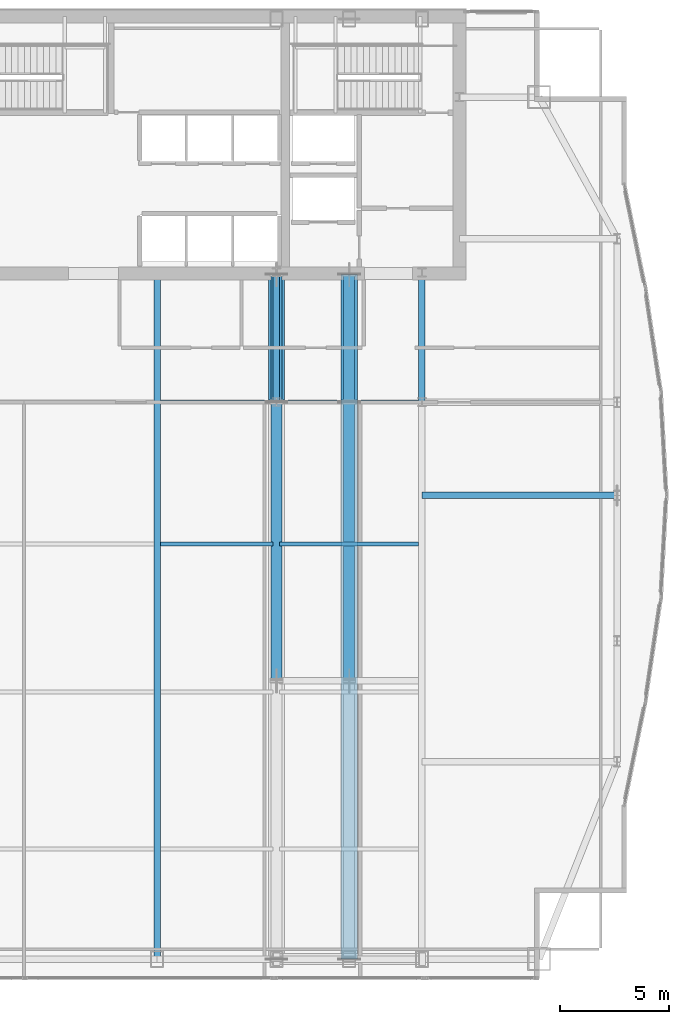
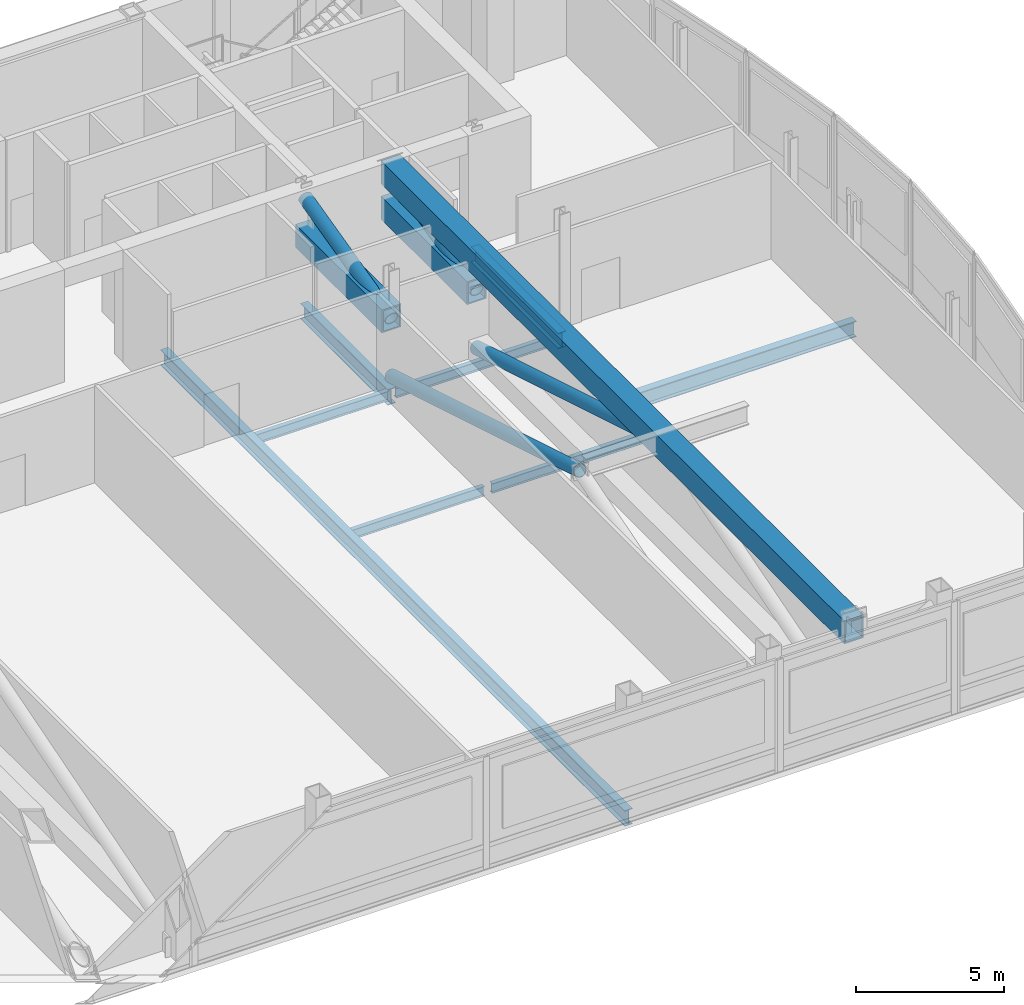
# One storey, part 19 of 32: 8 beams, 7 members.
"""IFC4 building model written with IfcOpenShell, lengths in metres."""

import ifcopenshell
import ifcopenshell.guid

model = None  # the IFC model being written
_history = None  # IfcOwnerHistory: only IFC2X3 demands one
_inside = {}  # id of a spatial element -> (the spatial element, [elements in it])
_under = {}  # id of a project, library or spatial element -> (it, [spatial elements below it])
_declared = {}  # id of a project -> (the project, [libraries it declares])
_typed = {}  # id of a type object -> (the type object, [elements of that type])
_made_of = {}  # id of a material, layer set ... -> (it, [elements and type objects made of it])


def new_model(schema):
    """Start an empty IFC model of exactly this schema.

    Asked for "IFC4X3", IfcOpenShell would pick the latest addendum, in which some entities
    have other attributes; the version numbers below select the first issue.
    IFC2X3 requires an IfcOwnerHistory on every rooted entity: one is made here for all.
    """
    global model, _history
    if schema == "IFC4X3":
        model = ifcopenshell.file(schema_version=(4, 3, 0, 0))
    else:
        model = ifcopenshell.file(schema=schema)
    _inside.clear()
    _under.clear()
    _declared.clear()
    _typed.clear()
    _made_of.clear()
    _history = None
    if model.schema == "IFC2X3":
        org = make("IfcOrganization", Name="unknown")
        user = make(
            "IfcPersonAndOrganization",
            ThePerson=make("IfcPerson", FamilyName="unknown"),
            TheOrganization=org,
        )
        app = make(
            "IfcApplication",
            ApplicationDeveloper=org,
            Version="unknown",
            ApplicationFullName="unknown",
            ApplicationIdentifier="unknown",
        )
        _history = make(
            "IfcOwnerHistory",
            OwningUser=user,
            OwningApplication=app,
            ChangeAction="ADDED",
            CreationDate=0,
        )
    return model


def make(cls, **values):
    """One entity of the class cls with the attributes given. An attribute that is None is left unset."""
    return model.create_entity(
        cls, **{name: value for name, value in values.items() if value is not None}
    )


def rooted(cls, **values):
    """An entity with a GlobalId (a new one), such as an element, a storey or a relation."""
    return make(cls, GlobalId=ifcopenshell.guid.new(), OwnerHistory=_history, **values)


def si_unit(unit_type, name, prefix=None):
    """IfcSIUnit, for example si_unit("LENGTHUNIT", "METRE", prefix="MILLI")."""
    return make("IfcSIUnit", UnitType=unit_type, Prefix=prefix, Name=name)


def assignment(units):
    """IfcUnitAssignment: the units of a project."""
    return None if units is None else make("IfcUnitAssignment", Units=units)


def point(xyz):
    """IfcCartesianPoint."""
    return None if xyz is None else make("IfcCartesianPoint", Coordinates=xyz)


def direction(xyz):
    """IfcDirection."""
    return None if xyz is None else make("IfcDirection", DirectionRatios=xyz)


def frame(location, z_axis=None, x_axis=None):
    """IfcAxis2Placement3D, a coordinate frame: its origin and axes. An axis left out is left unset."""
    return make(
        "IfcAxis2Placement3D",
        Location=point(location),
        Axis=direction(z_axis),
        RefDirection=direction(x_axis),
    )


def frame_2d(location, x_axis=None):
    """IfcAxis2Placement2D, a coordinate frame in the plane: its origin and x axis."""
    return make(
        "IfcAxis2Placement2D", Location=point(location), RefDirection=direction(x_axis)
    )


def origin():
    """The frame at (0, 0, 0) with its axes left unset."""
    return frame((0.0, 0.0, 0.0))


def origin_2d():
    """The frame at (0, 0) in the plane with its x axis left unset."""
    return frame_2d((0.0, 0.0))


def place(relative_to, where):
    """IfcLocalPlacement: puts the frame where relative to a parent placement (None: the world)."""
    return make(
        "IfcLocalPlacement", PlacementRelTo=relative_to, RelativePlacement=where
    )


def context(
    kind, dimensions, precision=None, world=None, true_north=None, identifier=None
):
    """IfcGeometricRepresentationContext, for example the 3D "Model" context."""
    return make(
        "IfcGeometricRepresentationContext",
        ContextIdentifier=identifier,
        ContextType=kind,
        CoordinateSpaceDimension=dimensions,
        Precision=precision,
        WorldCoordinateSystem=world,
        TrueNorth=true_north,
    )


def subcontext(parent, identifier, kind, view, scale=None):
    """IfcGeometricRepresentationSubContext, for example "Body" below "Model"."""
    return make(
        "IfcGeometricRepresentationSubContext",
        ContextIdentifier=identifier,
        ContextType=kind,
        ParentContext=parent,
        TargetScale=scale,
        TargetView=view,
    )


def project(units=None, contexts=None):
    """IfcProject with its units and contexts."""
    return rooted(
        "IfcProject",
        Name="project",
        RepresentationContexts=contexts,
        UnitsInContext=assignment(units),
    )


def spatial(cls, under=None, at=None, **own):
    """A site, building, storey or space (cls), placed at a placement, below another one or the project."""
    s = rooted(cls, ObjectPlacement=at, **own)
    if under is not None:
        _under.setdefault(under.id(), (under, []))[1].append(s)
    return s


def profile(cls, at=None, kind="AREA", **sizes):
    """A parametric profile (cls). Its sizes go by their IFC names, for example OverallWidth=200.0."""
    return make(cls, ProfileType=kind, Position=at, **sizes)


def hollow_rectangle(**sizes):
    """IfcRectangleHollowProfileDef."""
    return profile("IfcRectangleHollowProfileDef", **sizes)


def hollow_circle(**sizes):
    """IfcCircleHollowProfileDef."""
    return profile("IfcCircleHollowProfileDef", **sizes)


def i_section(**sizes):
    """IfcIShapeProfileDef."""
    return profile("IfcIShapeProfileDef", **sizes)


def extrude(swept, where, along, depth):
    """IfcExtrudedAreaSolid: the profile swept, set in the frame where, extruded along a direction by depth."""
    return make(
        "IfcExtrudedAreaSolid",
        SweptArea=swept,
        Position=where,
        ExtrudedDirection=direction(along),
        Depth=depth,
    )


def shape(context_of_items, identifier, shape_type, items):
    """IfcShapeRepresentation: the items that make up one representation, for example the "Body"."""
    return make(
        "IfcShapeRepresentation",
        ContextOfItems=context_of_items,
        RepresentationIdentifier=identifier,
        RepresentationType=shape_type,
        Items=items,
    )


def material(Name=None, Category=None):
    """IfcMaterial."""
    return make("IfcMaterial", Name=Name, Category=Category)


def material_profile(
    of_material, cross_section, Name=None, Category=None, Priority=None
):
    """IfcMaterialProfile: a cross section and its material."""
    return make(
        "IfcMaterialProfile",
        Name=Name,
        Material=of_material,
        Profile=cross_section,
        Priority=Priority,
        Category=Category,
    )


def profile_set(profiles, Name=None, composite=None):
    """IfcMaterialProfileSet."""
    return make(
        "IfcMaterialProfileSet",
        Name=Name,
        MaterialProfiles=profiles,
        CompositeProfile=composite,
    )


def made_of(thing, what):
    """Note that an element or type object is made of a material, layer set ...; save() writes the relation."""
    if what is not None:
        _made_of.setdefault(what.id(), (what, []))[1].append(thing)
    return thing


def type_object(cls, material=None, **own):
    """A type object (cls), such as IfcWallType, which elements share."""
    return made_of(rooted(cls, **own), material)


def element(
    cls,
    number,
    at=None,
    inside=None,
    cuts=None,
    type_object=None,
    material=None,
    context=None,
    identifier="Body",
    shape_type=None,
    held_by="IfcProductDefinitionShape",
    body=None,
    shapes=None,
    **own,
):
    """One element of the class cls, such as IfcWall. Its Tag is "e" and its number.

    at: its placement. inside: the storey or other place that contains it. cuts: it is an
    opening in that element (IfcRelVoidsElement). A single representation is given by context,
    identifier, shape_type and body (its items); several are given by shapes. held_by: the class
    of the entity that holds the representations. save() writes the other relations.
    """
    e = rooted(cls, Tag="e%d" % number, ObjectPlacement=at, **own)
    if body is not None:
        shapes = [shape(context, identifier, shape_type, body)]
    if shapes is not None:
        e.Representation = make(held_by, Representations=shapes)
    if inside is not None:
        _inside.setdefault(inside.id(), (inside, []))[1].append(e)
    if cuts is not None:
        rooted(
            "IfcRelVoidsElement", RelatingBuildingElement=cuts, RelatedOpeningElement=e
        )
    if type_object is not None:
        _typed.setdefault(type_object.id(), (type_object, []))[1].append(e)
    return made_of(e, material)


def aggregate(whole, parts):
    """IfcRelAggregates: a whole, such as a stair, and the parts it consists of."""
    return rooted("IfcRelAggregates", RelatingObject=whole, RelatedObjects=parts)


def save(model, path):
    """Write the relations noted so far, then the file.

    IfcRelAggregates (storeys below a building ...), IfcRelContainedInSpatialStructure (elements
    in a storey), IfcRelDefinesByType, IfcRelAssociatesMaterial and IfcRelDeclares: one each for
    every whole, place, type object, material and project.
    """
    for whole, parts in _under.values():
        aggregate(whole, parts)
    for where, things in _inside.values():
        rooted(
            "IfcRelContainedInSpatialStructure",
            RelatedElements=things,
            RelatingStructure=where,
        )
    for kind, things in _typed.values():
        rooted("IfcRelDefinesByType", RelatedObjects=things, RelatingType=kind)
    for what, things in _made_of.values():
        rooted("IfcRelAssociatesMaterial", RelatedObjects=things, RelatingMaterial=what)
    for by, libraries in _declared.values():
        rooted("IfcRelDeclares", RelatingContext=by, RelatedDefinitions=libraries)
    model.write(path)


model = new_model("IFC4")

# Units and contexts
model_context = context("Model", 3, precision=1e-05, world=origin(), true_north=direction((0.0, 1.0)))
body_context = subcontext(model_context, "Body", "Model", "MODEL_VIEW")
ifc_project = project(units=[si_unit("LENGTHUNIT", "METRE"), si_unit("AREAUNIT", "SQUARE_METRE"), si_unit("VOLUMEUNIT", "CUBIC_METRE"), si_unit("PLANEANGLEUNIT", "RADIAN"), si_unit("MASSUNIT", "GRAM", prefix="KILO")], contexts=[model_context])

# Site, building, storey
site_placement = place(None, origin())
site = spatial("IfcSite", under=ifc_project, at=site_placement, CompositionType="ELEMENT")
building_placement = place(site_placement, origin())
building = spatial("IfcBuilding", under=site, at=building_placement, Name="Khoronbel Lancet Exchange", CompositionType="ELEMENT")
storey_placement = place(building_placement, frame((0.0, 0.0, 257.0)))
storey = spatial("IfcBuildingStorey", under=building, at=storey_placement, Name="L66", CompositionType="ELEMENT", Elevation=257.0)

# Beams
ifc_material_1 = material(Name="Steel S355", Category="steel")
ifc_material_profile_1 = material_profile(ifc_material_1, i_section(OverallWidth=0.300048828125, OverallDepth=0.64990234375, WebThickness=0.01611328125, FlangeThickness=0.031005859375, at=origin_2d()), Name="HEB 650")
ifc_profile_set_1 = profile_set([ifc_material_profile_1], Name="Steel S355")
beam_type_1 = type_object("IfcBeamType", Name="BM-BG4", PredefinedType="BEAM", material=ifc_profile_set_1)
beam_1_placement = place(storey_placement, frame((42.52490234375, 10.14990234375, -0.544921875), z_axis=(0.0, 1.0, 0.0), x_axis=(-1.0, 0.0, 0.0)))
element("IfcBeam", 1, at=beam_1_placement, inside=storey, type_object=beam_type_1, Name="Level L66 primary floor girder G4", PredefinedType="BEAM", context=body_context, shape_type="SweptSolid", body=[
    extrude(i_section(OverallWidth=0.300048828125, OverallDepth=0.64990234375, WebThickness=0.01611328125, FlangeThickness=0.031005859375, at=origin_2d()), origin(), (0.0, 0.0, 1.0), 31.4501953125),
])
for number, where, z_axis, x_axis, name in (
    (2, (48.0, 35.699951171875, -0.544921875), (0.0, 1.0, 0.0), (-1.0, 0.0, 0.0), "Level L66 spine tie girder GN5"),
    (3, (54.675048828125, 35.699951171875, -0.544921875), (0.0, 1.0, 0.0), (-1.0, 0.0, 0.0), "Level L66 spine tie girder GN6"),
):
    element("IfcBeam", number, at=place(storey_placement, frame(where, z_axis=z_axis, x_axis=x_axis)), inside=storey, type_object=beam_type_1, Name=name, PredefinedType="BEAM", context=body_context, shape_type="SweptSolid", body=[
        extrude(i_section(OverallWidth=0.300048828125, OverallDepth=0.64990234375, WebThickness=0.01611328125, FlangeThickness=0.031005859375, at=origin_2d()), origin(), (0.0, 0.0, 1.0), 5.900146484375),
    ])
beam_2_placement = place(storey_placement, frame((54.675048828125, 31.425048828125, -0.544921875), z_axis=(1.0, 0.0, 0.0), x_axis=(0.0, 1.0, 0.0)))
element("IfcBeam", 4, at=beam_2_placement, inside=storey, type_object=beam_type_1, Name="Level L66 east lens tie girder LG2E", PredefinedType="BEAM", context=body_context, shape_type="SweptSolid", body=[
    extrude(i_section(OverallWidth=0.300048828125, OverallDepth=0.64990234375, WebThickness=0.01611328125, FlangeThickness=0.031005859375, at=origin_2d()), origin(), (0.0, 0.0, 1.0), 8.954833984375),
])
ifc_material_profile_2 = material_profile(ifc_material_1, i_section(OverallWidth=0.179931640625, OverallDepth=0.39990234375, WebThickness=0.008544921875, FlangeThickness=0.013427734375, at=origin_2d()), Name="IPE 400")
ifc_profile_set_2 = profile_set([ifc_material_profile_2], Name="Steel S355")
beam_type_2 = type_object("IfcBeamType", Name="BM-BJ5", PredefinedType="JOIST", material=ifc_profile_set_2)
beam_3_placement = place(storey_placement, frame((42.675048828125, 29.199951171875, -0.419921875), z_axis=(1.0, 0.0, 0.0), x_axis=(0.0, 1.0, 0.0)))
element("IfcBeam", 5, at=beam_3_placement, inside=storey, type_object=beam_type_2, Name="Level L66 secondary composite joist J14", PredefinedType="JOIST", context=body_context, shape_type="SweptSolid", body=[
    extrude(i_section(OverallWidth=0.179931640625, OverallDepth=0.39990234375, WebThickness=0.008544921875, FlangeThickness=0.013427734375, at=origin_2d()), origin(), (0.0, 0.0, 1.0), 5.175048828125),
])
beam_4_placement = place(storey_placement, frame((48.14990234375, 29.199951171875, -0.419921875), z_axis=(1.0, 0.0, 0.0), x_axis=(0.0, 1.0, 0.0)))
element("IfcBeam", 6, at=beam_4_placement, inside=storey, type_object=beam_type_2, Name="Level L66 secondary composite joist J15", PredefinedType="JOIST", context=body_context, shape_type="SweptSolid", body=[
    extrude(i_section(OverallWidth=0.179931640625, OverallDepth=0.39990234375, WebThickness=0.008544921875, FlangeThickness=0.013427734375, at=origin_2d()), origin(), (0.0, 0.0, 1.0), 6.375),
])
beam_5_placement = place(storey_placement, frame((42.675048828125, 35.699951171875, -0.419921875), z_axis=(1.0, 0.0, 0.0), x_axis=(0.0, 1.0, 0.0)))
element("IfcBeam", 7, at=beam_5_placement, inside=storey, type_object=beam_type_2, Name="Level L66 secondary composite joist J19", PredefinedType="JOIST", context=body_context, shape_type="SweptSolid", body=[
    extrude(i_section(OverallWidth=0.179931640625, OverallDepth=0.39990234375, WebThickness=0.008544921875, FlangeThickness=0.013427734375, at=origin_2d()), origin(), (0.0, 0.0, 1.0), 5.175048828125),
])
beam_6_placement = place(storey_placement, frame((48.14990234375, 35.699951171875, -0.419921875), z_axis=(1.0, 0.0, 0.0), x_axis=(0.0, 1.0, 0.0)))
element("IfcBeam", 8, at=beam_6_placement, inside=storey, type_object=beam_type_2, Name="Level L66 secondary composite joist J20", PredefinedType="JOIST", context=body_context, shape_type="SweptSolid", body=[
    extrude(i_section(OverallWidth=0.179931640625, OverallDepth=0.39990234375, WebThickness=0.008544921875, FlangeThickness=0.013427734375, at=origin_2d()), origin(), (0.0, 0.0, 1.0), 6.375),
])

# Members
ifc_material_2 = material(Name="Steel S460", Category="steel")
ifc_material_profile_3 = material_profile(ifc_material_2, hollow_circle(Radius=0.25390625, WallThickness=0.02490234375, at=origin_2d()), Name="CHS 508x25")
ifc_profile_set_3 = profile_set([ifc_material_profile_3], Name="Steel S460")
member_type_1 = type_object("IfcMemberType", Name="MEM-OBR2", PredefinedType="BRACE", material=ifc_profile_set_3)
member_1_placement = place(storey_placement, frame((48.0, 22.925048828125, 4.139892578125), z_axis=(0.0, 0.957674025544, -0.287854930126), x_axis=(-1.0, 0.0, 0.0)))
element("IfcMember", 9, at=member_1_placement, inside=storey, type_object=member_type_1, Name="Outrigger truss diagonal L66-3-2", PredefinedType="BRACE", context=body_context, shape_type="SweptSolid", body=[
    extrude(hollow_circle(Radius=0.25390625, WallThickness=0.02490234375, at=origin_2d()), origin(), (0.0, 0.0, 1.0), 13.339599609375),
])
member_2_placement = place(storey_placement, frame((48.0, 35.699951171875, 2.679931640625), z_axis=(0.0, 0.970242453914, 0.242135459244), x_axis=(-1.0, 0.0, 0.0)))
element("IfcMember", 10, at=member_2_placement, inside=storey, type_object=member_type_1, Name="Outrigger truss diagonal L66-3-3", PredefinedType="BRACE", context=body_context, shape_type="SweptSolid", body=[
    extrude(hollow_circle(Radius=0.25390625, WallThickness=0.02490234375, at=origin_2d()), origin(), (0.0, 0.0, 1.0), 6.029541015625),
])
member_3_placement = place(storey_placement, frame((51.33740234375, 22.925048828125, 4.139892578125), z_axis=(0.0, 0.957674025544, -0.287854930126), x_axis=(-1.0, 0.0, 0.0)))
element("IfcMember", 11, at=member_3_placement, inside=storey, type_object=member_type_1, Name="Outrigger truss diagonal L66-4-2", PredefinedType="BRACE", context=body_context, shape_type="SweptSolid", body=[
    extrude(hollow_circle(Radius=0.25390625, WallThickness=0.02490234375, at=origin_2d()), origin(), (0.0, 0.0, 1.0), 13.339599609375),
])
member_4_placement = place(storey_placement, frame((51.33740234375, 35.699951171875, 2.679931640625), z_axis=(0.0, 0.970242453914, 0.242135459244), x_axis=(-1.0, 0.0, 0.0)))
element("IfcMember", 12, at=member_4_placement, inside=storey, type_object=member_type_1, Name="Outrigger truss diagonal L66-4-3", PredefinedType="BRACE", context=body_context, shape_type="SweptSolid", body=[
    extrude(hollow_circle(Radius=0.25390625, WallThickness=0.02490234375, at=origin_2d()), origin(), (0.0, 0.0, 1.0), 6.029541015625),
])
ifc_material_profile_4 = material_profile(ifc_material_2, hollow_rectangle(XDim=0.75, YDim=0.949951171875, WallThickness=0.054931640625, at=origin_2d()), Name="BOX 950x750x55")
ifc_profile_set_4 = profile_set([ifc_material_profile_4], Name="Steel S460")
member_type_2 = type_object("IfcMemberType", Name="MEM-OCH2", PredefinedType="CHORD", material=ifc_profile_set_4)
for number, where, z_axis, x_axis, name in (
    (13, (48.0, 35.699951171875, 2.679931640625), (0.0, 1.0, 0.0), (-1.0, 0.0, 0.0), "Outrigger corridor portal tie chord L66-3-COR"),
    (14, (51.33740234375, 35.699951171875, 2.679931640625), (0.0, 1.0, 0.0), (-1.0, 0.0, 0.0), "Outrigger corridor portal tie chord L66-4-COR"),
):
    element("IfcMember", number, at=place(storey_placement, frame(where, z_axis=z_axis, x_axis=x_axis)), inside=storey, type_object=member_type_2, Name=name, PredefinedType="CHORD", context=body_context, shape_type="SweptSolid", body=[
        extrude(hollow_rectangle(XDim=0.75, YDim=0.949951171875, WallThickness=0.054931640625, at=origin_2d()), origin(), (0.0, 0.0, 1.0), 5.85009765625),
    ])
member_5_placement = place(storey_placement, frame((51.33740234375, 10.14990234375, 4.139892578125), z_axis=(0.0, 1.0, 0.0), x_axis=(-1.0, 0.0, 0.0)))
element("IfcMember", 15, at=member_5_placement, inside=storey, type_object=member_type_2, Name="Outrigger truss top chord L66-4-TOP", PredefinedType="CHORD", context=body_context, shape_type="SweptSolid", body=[
    extrude(hollow_rectangle(XDim=0.75, YDim=0.949951171875, WallThickness=0.054931640625, at=origin_2d()), origin(), (0.0, 0.0, 1.0), 31.400146484375),
])

save(model, "model.ifc")
